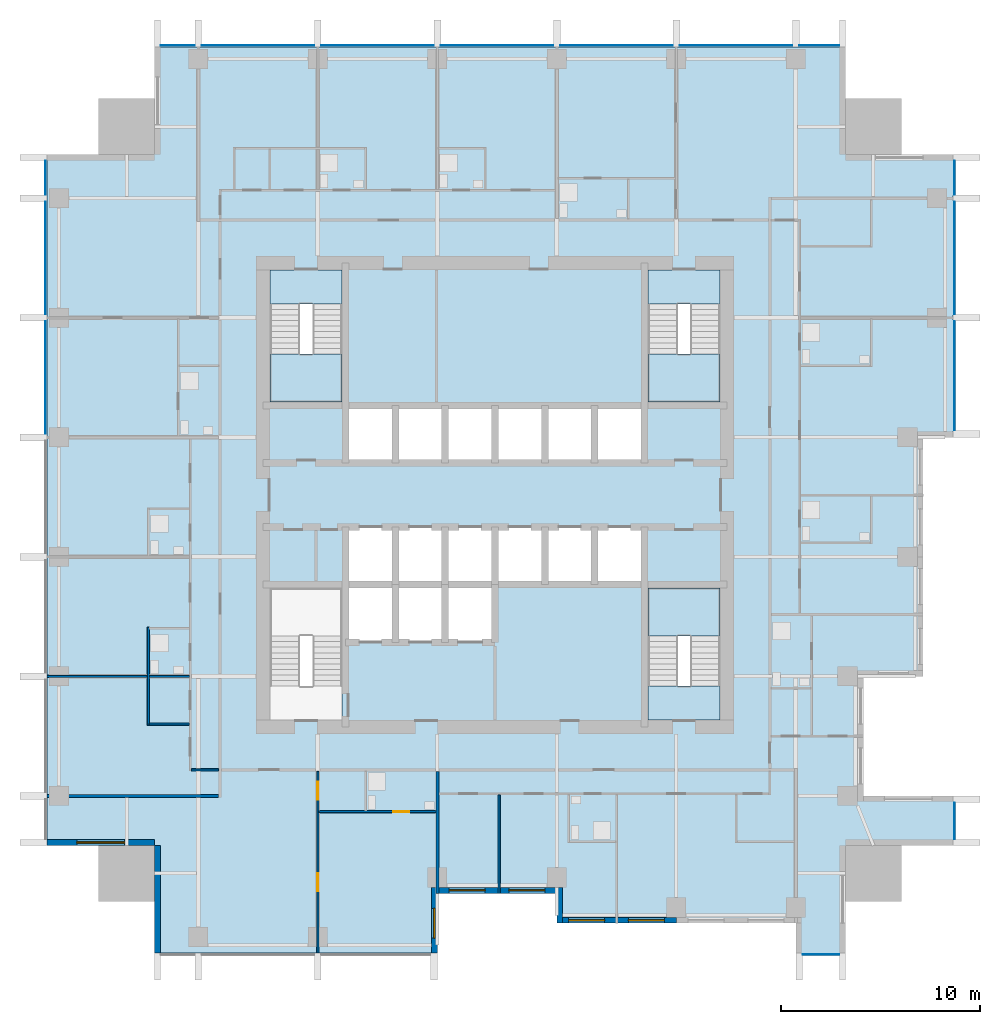
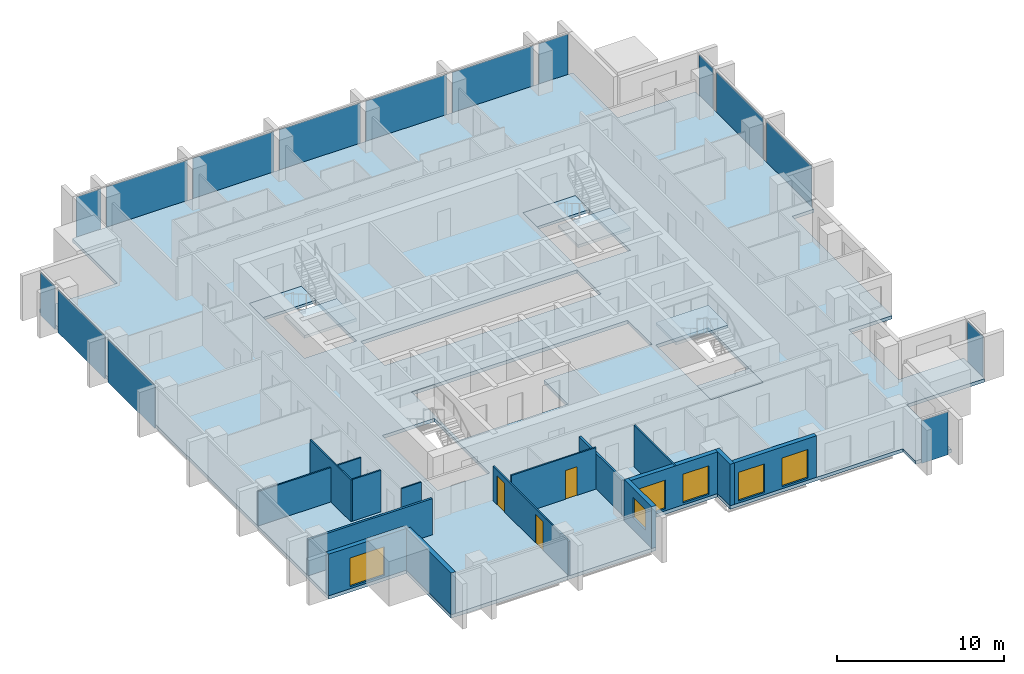
# One storey, part 3 of 10: 15 plates, 15 walls, 7 slabs, 6 windows, 3 doors, 9 openings, 8 elements without a shape of their own.
"""IFC4 building model written with IfcOpenShell, lengths in metres."""

import ifcopenshell
import ifcopenshell.guid

model = None  # the IFC model being written
_history = None  # IfcOwnerHistory: only IFC2X3 demands one
_inside = {}  # id of a spatial element -> (the spatial element, [elements in it])
_under = {}  # id of a project, library or spatial element -> (it, [spatial elements below it])
_declared = {}  # id of a project -> (the project, [libraries it declares])
_typed = {}  # id of a type object -> (the type object, [elements of that type])
_made_of = {}  # id of a material, layer set ... -> (it, [elements and type objects made of it])


def new_model(schema):
    """Start an empty IFC model of exactly this schema.

    Asked for "IFC4X3", IfcOpenShell would pick the latest addendum, in which some entities
    have other attributes; the version numbers below select the first issue.
    IFC2X3 requires an IfcOwnerHistory on every rooted entity: one is made here for all.
    """
    global model, _history
    if schema == "IFC4X3":
        model = ifcopenshell.file(schema_version=(4, 3, 0, 0))
    else:
        model = ifcopenshell.file(schema=schema)
    _inside.clear()
    _under.clear()
    _declared.clear()
    _typed.clear()
    _made_of.clear()
    _history = None
    if model.schema == "IFC2X3":
        org = make("IfcOrganization", Name="unknown")
        user = make(
            "IfcPersonAndOrganization",
            ThePerson=make("IfcPerson", FamilyName="unknown"),
            TheOrganization=org,
        )
        app = make(
            "IfcApplication",
            ApplicationDeveloper=org,
            Version="unknown",
            ApplicationFullName="unknown",
            ApplicationIdentifier="unknown",
        )
        _history = make(
            "IfcOwnerHistory",
            OwningUser=user,
            OwningApplication=app,
            ChangeAction="ADDED",
            CreationDate=0,
        )
    return model


def make(cls, **values):
    """One entity of the class cls with the attributes given. An attribute that is None is left unset."""
    return model.create_entity(
        cls, **{name: value for name, value in values.items() if value is not None}
    )


def rooted(cls, **values):
    """An entity with a GlobalId (a new one), such as an element, a storey or a relation."""
    return make(cls, GlobalId=ifcopenshell.guid.new(), OwnerHistory=_history, **values)


def si_unit(unit_type, name, prefix=None):
    """IfcSIUnit, for example si_unit("LENGTHUNIT", "METRE", prefix="MILLI")."""
    return make("IfcSIUnit", UnitType=unit_type, Prefix=prefix, Name=name)


def assignment(units):
    """IfcUnitAssignment: the units of a project."""
    return None if units is None else make("IfcUnitAssignment", Units=units)


def point(xyz):
    """IfcCartesianPoint."""
    return None if xyz is None else make("IfcCartesianPoint", Coordinates=xyz)


def direction(xyz):
    """IfcDirection."""
    return None if xyz is None else make("IfcDirection", DirectionRatios=xyz)


def frame(location, z_axis=None, x_axis=None):
    """IfcAxis2Placement3D, a coordinate frame: its origin and axes. An axis left out is left unset."""
    return make(
        "IfcAxis2Placement3D",
        Location=point(location),
        Axis=direction(z_axis),
        RefDirection=direction(x_axis),
    )


def frame_2d(location, x_axis=None):
    """IfcAxis2Placement2D, a coordinate frame in the plane: its origin and x axis."""
    return make(
        "IfcAxis2Placement2D", Location=point(location), RefDirection=direction(x_axis)
    )


def origin():
    """The frame at (0, 0, 0) with its axes left unset."""
    return frame((0.0, 0.0, 0.0))


def origin_2d():
    """The frame at (0, 0) in the plane with its x axis left unset."""
    return frame_2d((0.0, 0.0))


def place(relative_to, where):
    """IfcLocalPlacement: puts the frame where relative to a parent placement (None: the world)."""
    return make(
        "IfcLocalPlacement", PlacementRelTo=relative_to, RelativePlacement=where
    )


def context(
    kind, dimensions, precision=None, world=None, true_north=None, identifier=None
):
    """IfcGeometricRepresentationContext, for example the 3D "Model" context."""
    return make(
        "IfcGeometricRepresentationContext",
        ContextIdentifier=identifier,
        ContextType=kind,
        CoordinateSpaceDimension=dimensions,
        Precision=precision,
        WorldCoordinateSystem=world,
        TrueNorth=true_north,
    )


def subcontext(parent, identifier, kind, view, scale=None):
    """IfcGeometricRepresentationSubContext, for example "Body" below "Model"."""
    return make(
        "IfcGeometricRepresentationSubContext",
        ContextIdentifier=identifier,
        ContextType=kind,
        ParentContext=parent,
        TargetScale=scale,
        TargetView=view,
    )


def project(units=None, contexts=None):
    """IfcProject with its units and contexts."""
    return rooted(
        "IfcProject",
        Name="project",
        RepresentationContexts=contexts,
        UnitsInContext=assignment(units),
    )


def spatial(cls, under=None, at=None, **own):
    """A site, building, storey or space (cls), placed at a placement, below another one or the project."""
    s = rooted(cls, ObjectPlacement=at, **own)
    if under is not None:
        _under.setdefault(under.id(), (under, []))[1].append(s)
    return s


def polyline(points):
    """IfcPolyline through the points."""
    return make("IfcPolyline", Points=[point(p) for p in points])


def profile(cls, at=None, kind="AREA", **sizes):
    """A parametric profile (cls). Its sizes go by their IFC names, for example OverallWidth=200.0."""
    return make(cls, ProfileType=kind, Position=at, **sizes)


def rectangle(**sizes):
    """IfcRectangleProfileDef."""
    return profile("IfcRectangleProfileDef", **sizes)


def outline(outer, holes=None, kind="AREA"):
    """IfcArbitraryClosedProfileDef: a profile drawn as a closed curve; with holes, ...WithVoids."""
    if holes is None:
        return make("IfcArbitraryClosedProfileDef", ProfileType=kind, OuterCurve=outer)
    return make(
        "IfcArbitraryProfileDefWithVoids",
        ProfileType=kind,
        OuterCurve=outer,
        InnerCurves=holes,
    )


def extrude(swept, where, along, depth):
    """IfcExtrudedAreaSolid: the profile swept, set in the frame where, extruded along a direction by depth."""
    return make(
        "IfcExtrudedAreaSolid",
        SweptArea=swept,
        Position=where,
        ExtrudedDirection=direction(along),
        Depth=depth,
    )


def shape(context_of_items, identifier, shape_type, items):
    """IfcShapeRepresentation: the items that make up one representation, for example the "Body"."""
    return make(
        "IfcShapeRepresentation",
        ContextOfItems=context_of_items,
        RepresentationIdentifier=identifier,
        RepresentationType=shape_type,
        Items=items,
    )


def material(Name=None, Category=None):
    """IfcMaterial."""
    return make("IfcMaterial", Name=Name, Category=Category)


def layer(
    of_material, thickness, ventilated=None, Name=None, Category=None, Priority=None
):
    """IfcMaterialLayer: one layer of a wall or slab, of a material (None: an air gap)."""
    return make(
        "IfcMaterialLayer",
        Material=of_material,
        LayerThickness=thickness,
        IsVentilated=ventilated,
        Name=Name,
        Category=Category,
        Priority=Priority,
    )


def layer_set(layers, Name=None):
    """IfcMaterialLayerSet."""
    return make("IfcMaterialLayerSet", MaterialLayers=layers, LayerSetName=Name)


def made_of(thing, what):
    """Note that an element or type object is made of a material, layer set ...; save() writes the relation."""
    if what is not None:
        _made_of.setdefault(what.id(), (what, []))[1].append(thing)
    return thing


def type_object(cls, material=None, **own):
    """A type object (cls), such as IfcWallType, which elements share."""
    return made_of(rooted(cls, **own), material)


def element(
    cls,
    number,
    at=None,
    inside=None,
    cuts=None,
    type_object=None,
    material=None,
    context=None,
    identifier="Body",
    shape_type=None,
    held_by="IfcProductDefinitionShape",
    body=None,
    shapes=None,
    **own,
):
    """One element of the class cls, such as IfcWall. Its Tag is "e" and its number.

    at: its placement. inside: the storey or other place that contains it. cuts: it is an
    opening in that element (IfcRelVoidsElement). A single representation is given by context,
    identifier, shape_type and body (its items); several are given by shapes. held_by: the class
    of the entity that holds the representations. save() writes the other relations.
    """
    e = rooted(cls, Tag="e%d" % number, ObjectPlacement=at, **own)
    if body is not None:
        shapes = [shape(context, identifier, shape_type, body)]
    if shapes is not None:
        e.Representation = make(held_by, Representations=shapes)
    if inside is not None:
        _inside.setdefault(inside.id(), (inside, []))[1].append(e)
    if cuts is not None:
        rooted(
            "IfcRelVoidsElement", RelatingBuildingElement=cuts, RelatedOpeningElement=e
        )
    if type_object is not None:
        _typed.setdefault(type_object.id(), (type_object, []))[1].append(e)
    return made_of(e, material)


def fill(opening, filler):
    """IfcRelFillsElement: the door or window that sits in an opening."""
    return rooted(
        "IfcRelFillsElement",
        RelatingOpeningElement=opening,
        RelatedBuildingElement=filler,
    )


def aggregate(whole, parts):
    """IfcRelAggregates: a whole, such as a stair, and the parts it consists of."""
    return rooted("IfcRelAggregates", RelatingObject=whole, RelatedObjects=parts)


def save(model, path):
    """Write the relations noted so far, then the file.

    IfcRelAggregates (storeys below a building ...), IfcRelContainedInSpatialStructure (elements
    in a storey), IfcRelDefinesByType, IfcRelAssociatesMaterial and IfcRelDeclares: one each for
    every whole, place, type object, material and project.
    """
    for whole, parts in _under.values():
        aggregate(whole, parts)
    for where, things in _inside.values():
        rooted(
            "IfcRelContainedInSpatialStructure",
            RelatedElements=things,
            RelatingStructure=where,
        )
    for kind, things in _typed.values():
        rooted("IfcRelDefinesByType", RelatedObjects=things, RelatingType=kind)
    for what, things in _made_of.values():
        rooted("IfcRelAssociatesMaterial", RelatedObjects=things, RelatingMaterial=what)
    for by, libraries in _declared.values():
        rooted("IfcRelDeclares", RelatingContext=by, RelatedDefinitions=libraries)
    model.write(path)


model = new_model("IFC4")

# Units and contexts
model_context = context("Model", 3, precision=1e-05, world=origin(), true_north=direction((0.0, 1.0)))
body_context = subcontext(model_context, "Body", "Model", "MODEL_VIEW")
ifc_project = project(units=[si_unit("LENGTHUNIT", "METRE"), si_unit("AREAUNIT", "SQUARE_METRE"), si_unit("VOLUMEUNIT", "CUBIC_METRE"), si_unit("PLANEANGLEUNIT", "RADIAN"), si_unit("MASSUNIT", "GRAM", prefix="KILO")], contexts=[model_context])

# Site, building, storey
site_placement = place(None, origin())
site = spatial("IfcSite", under=ifc_project, at=site_placement, CompositionType="ELEMENT")
building_placement = place(site_placement, origin())
building = spatial("IfcBuilding", under=site, at=building_placement, Name="Amberfall Residences", CompositionType="ELEMENT")
storey_placement = place(building_placement, frame((0.0, 0.0, 137.199951171875)))
storey = spatial("IfcBuildingStorey", under=building, at=storey_placement, Name="L36", CompositionType="ELEMENT", Elevation=137.199951171875)

# Curtain wall, plate
ifc_material_1 = material(Name="Bronze anodised aluminium and glass", Category="aluminium")
curtain_wall_type = type_object("IfcCurtainWallType", Name="Curtain wall CW1 tower unit", PredefinedType="USERDEFINED", material=ifc_material_1)
curtain_wall_1_placement = place(storey_placement, origin())
curtain_wall_1 = element("IfcCurtainWall", 1, at=curtain_wall_1_placement, inside=storey, type_object=curtain_wall_type, Name="Curtain wall L36 S S8", ObjectType="UNITISED CURTAIN WALL", PredefinedType="USERDEFINED")
ifc_material_2 = material(Name="Tinted double glazed unit", Category="glass")
ifc_layer_1 = layer(ifc_material_2, 0.035888671875)
ifc_layer_set_1 = layer_set([ifc_layer_1], Name="CW1 panel 36 glazing")
plate_type = type_object("IfcPlateType", Name="CW1 panel 36 glazing", PredefinedType="CURTAIN_PANEL", material=ifc_layer_set_1)
plate_1_placement = place(storey_placement, frame((90.875, 22.425048828125, -0.25), z_axis=(0.0, 0.0, 1.0), x_axis=(1.0, 0.0, 0.0)))
plate_1 = element("IfcPlate", 2, at=plate_1_placement, type_object=plate_type, Name="CW1 panel 1.1", PredefinedType="CURTAIN_PANEL", context=body_context, shape_type="SweptSolid", body=[
    extrude(rectangle(XDim=1.825927734375, YDim=0.035888671875, at=origin_2d()), origin(), (0.0, 0.0, 1.0), 3.14990234375),
])
aggregate(curtain_wall_1, [plate_1])

curtain_wall_2_placement = place(storey_placement, origin())
curtain_wall_2 = element("IfcCurtainWall", 3, at=curtain_wall_2_placement, inside=storey, type_object=curtain_wall_type, Name="Curtain wall L36 E E1", ObjectType="UNITISED CURTAIN WALL", PredefinedType="USERDEFINED")
plate_2_placement = place(storey_placement, frame((97.574951171875, 29.125, -0.25), z_axis=(0.0, 0.0, 1.0), x_axis=(0.0, 1.0, 0.0)))
plate_2 = element("IfcPlate", 4, at=plate_2_placement, type_object=plate_type, Name="CW1 panel 1.1", PredefinedType="CURTAIN_PANEL", context=body_context, shape_type="SweptSolid", body=[
    extrude(rectangle(XDim=1.825927734375, YDim=0.035888671875, at=origin_2d()), origin(), (0.0, 0.0, 1.0), 3.14990234375),
])
aggregate(curtain_wall_2, [plate_2])

# Curtain wall, plates
curtain_wall_3_placement = place(storey_placement, origin())
curtain_wall_3 = element("IfcCurtainWall", 5, at=curtain_wall_3_placement, inside=storey, type_object=curtain_wall_type, Name="Curtain wall L36 E E8", ObjectType="UNITISED CURTAIN WALL", PredefinedType="USERDEFINED")
plate_3_placement = place(storey_placement, frame((97.574951171875, 51.487548828125, -0.25), z_axis=(0.0, 0.0, 1.0), x_axis=(0.0, 1.0, 0.0)))
plate_3 = element("IfcPlate", 6, at=plate_3_placement, type_object=plate_type, Name="CW1 panel 1.1", PredefinedType="CURTAIN_PANEL", context=body_context, shape_type="SweptSolid", body=[
    extrude(rectangle(XDim=5.450927734375, YDim=0.035888671875, at=origin_2d()), origin(), (0.0, 0.0, 1.0), 3.14990234375),
])
plate_4_placement = place(storey_placement, frame((97.574951171875, 57.39990234375, -0.25), z_axis=(0.0, 0.0, 1.0), x_axis=(0.0, 1.0, 0.0)))
plate_4 = element("IfcPlate", 7, at=plate_4_placement, type_object=plate_type, Name="CW1 panel 2.1", PredefinedType="CURTAIN_PANEL", context=body_context, shape_type="SweptSolid", body=[
    extrude(rectangle(XDim=5.6259765625, YDim=0.035888671875, at=origin_2d()), origin(), (0.0, 0.0, 1.0), 3.14990234375),
])
plate_5_placement = place(storey_placement, frame((97.574951171875, 61.4375, -0.25), z_axis=(0.0, 0.0, 1.0), x_axis=(0.0, 1.0, 0.0)))
plate_5 = element("IfcPlate", 8, at=plate_5_placement, type_object=plate_type, Name="CW1 panel 3.1", PredefinedType="CURTAIN_PANEL", context=body_context, shape_type="SweptSolid", body=[
    extrude(rectangle(XDim=1.700927734375, YDim=0.035888671875, at=origin_2d()), origin(), (0.0, 0.0, 1.0), 3.14990234375),
])
aggregate(curtain_wall_3, [plate_3, plate_4, plate_5])

curtain_wall_4_placement = place(storey_placement, origin())
curtain_wall_4 = element("IfcCurtainWall", 9, at=curtain_wall_4_placement, inside=storey, type_object=curtain_wall_type, Name="Curtain wall L36 N N1", ObjectType="UNITISED CURTAIN WALL", PredefinedType="USERDEFINED")
plate_6_placement = place(storey_placement, frame((90.78759765625, 68.074951171875, -0.25), z_axis=(0.0, 0.0, 1.0), x_axis=(-1.0, 0.0, 0.0)))
plate_6 = element("IfcPlate", 10, at=plate_6_placement, type_object=plate_type, Name="CW1 panel 1.1", PredefinedType="CURTAIN_PANEL", context=body_context, shape_type="SweptSolid", body=[
    extrude(rectangle(XDim=2.0009765625, YDim=0.035888671875, at=origin_2d()), origin(), (0.0, 0.0, 1.0), 3.14990234375),
])
plate_7_placement = place(storey_placement, frame((86.60009765625, 68.074951171875, -0.25), z_axis=(0.0, 0.0, 1.0), x_axis=(-1.0, 0.0, 0.0)))
plate_7 = element("IfcPlate", 11, at=plate_7_placement, type_object=plate_type, Name="CW1 panel 2.1", PredefinedType="CURTAIN_PANEL", context=body_context, shape_type="SweptSolid", body=[
    extrude(rectangle(XDim=5.6259765625, YDim=0.035888671875, at=origin_2d()), origin(), (0.0, 0.0, 1.0), 3.14990234375),
])
plate_8_placement = place(storey_placement, frame((80.60009765625, 68.074951171875, -0.25), z_axis=(0.0, 0.0, 1.0), x_axis=(-1.0, 0.0, 0.0)))
plate_8 = element("IfcPlate", 12, at=plate_8_placement, type_object=plate_type, Name="CW1 panel 3.1", PredefinedType="CURTAIN_PANEL", context=body_context, shape_type="SweptSolid", body=[
    extrude(rectangle(XDim=5.6259765625, YDim=0.035888671875, at=origin_2d()), origin(), (0.0, 0.0, 1.0), 3.14990234375),
])
plate_9_placement = place(storey_placement, frame((74.60009765625, 68.074951171875, -0.25), z_axis=(0.0, 0.0, 1.0), x_axis=(-1.0, 0.0, 0.0)))
plate_9 = element("IfcPlate", 13, at=plate_9_placement, type_object=plate_type, Name="CW1 panel 4.1", PredefinedType="CURTAIN_PANEL", context=body_context, shape_type="SweptSolid", body=[
    extrude(rectangle(XDim=5.6259765625, YDim=0.035888671875, at=origin_2d()), origin(), (0.0, 0.0, 1.0), 3.14990234375),
])
plate_10_placement = place(storey_placement, frame((68.60009765625, 68.074951171875, -0.25), z_axis=(0.0, 0.0, 1.0), x_axis=(-1.0, 0.0, 0.0)))
plate_10 = element("IfcPlate", 14, at=plate_10_placement, type_object=plate_type, Name="CW1 panel 5.1", PredefinedType="CURTAIN_PANEL", context=body_context, shape_type="SweptSolid", body=[
    extrude(rectangle(XDim=5.6259765625, YDim=0.035888671875, at=origin_2d()), origin(), (0.0, 0.0, 1.0), 3.14990234375),
])
plate_11_placement = place(storey_placement, frame((62.60009765625, 68.074951171875, -0.25), z_axis=(0.0, 0.0, 1.0), x_axis=(-1.0, 0.0, 0.0)))
plate_11 = element("IfcPlate", 15, at=plate_11_placement, type_object=plate_type, Name="CW1 panel 6.1", PredefinedType="CURTAIN_PANEL", context=body_context, shape_type="SweptSolid", body=[
    extrude(rectangle(XDim=5.6259765625, YDim=0.035888671875, at=origin_2d()), origin(), (0.0, 0.0, 1.0), 3.14990234375),
])
plate_12_placement = place(storey_placement, frame((58.5625, 68.074951171875, -0.25), z_axis=(0.0, 0.0, 1.0), x_axis=(-1.0, 0.0, 0.0)))
plate_12 = element("IfcPlate", 16, at=plate_12_placement, type_object=plate_type, Name="CW1 panel 7.1", PredefinedType="CURTAIN_PANEL", context=body_context, shape_type="SweptSolid", body=[
    extrude(rectangle(XDim=1.700927734375, YDim=0.035888671875, at=origin_2d()), origin(), (0.0, 0.0, 1.0), 3.14990234375),
])
aggregate(curtain_wall_4, [plate_6, plate_7, plate_8, plate_9, plate_10, plate_11, plate_12])

curtain_wall_5_placement = place(storey_placement, origin())
curtain_wall_5 = element("IfcCurtainWall", 17, at=curtain_wall_5_placement, inside=storey, type_object=curtain_wall_type, Name="Curtain wall L36 W W1", ObjectType="UNITISED CURTAIN WALL", PredefinedType="USERDEFINED")
plate_13_placement = place(storey_placement, frame((51.925048828125, 61.4375, -0.25), z_axis=(0.0, 0.0, 1.0), x_axis=(0.0, -1.0, 0.0)))
plate_13 = element("IfcPlate", 18, at=plate_13_placement, type_object=plate_type, Name="CW1 panel 1.1", PredefinedType="CURTAIN_PANEL", context=body_context, shape_type="SweptSolid", body=[
    extrude(rectangle(XDim=1.700927734375, YDim=0.035888671875, at=origin_2d()), origin(), (0.0, 0.0, 1.0), 3.14990234375),
])
plate_14_placement = place(storey_placement, frame((51.925048828125, 57.39990234375, -0.25), z_axis=(0.0, 0.0, 1.0), x_axis=(0.0, -1.0, 0.0)))
plate_14 = element("IfcPlate", 19, at=plate_14_placement, type_object=plate_type, Name="CW1 panel 2.1", PredefinedType="CURTAIN_PANEL", context=body_context, shape_type="SweptSolid", body=[
    extrude(rectangle(XDim=5.6259765625, YDim=0.035888671875, at=origin_2d()), origin(), (0.0, 0.0, 1.0), 3.14990234375),
])
plate_15_placement = place(storey_placement, frame((51.925048828125, 51.39990234375, -0.25), z_axis=(0.0, 0.0, 1.0), x_axis=(0.0, -1.0, 0.0)))
plate_15 = element("IfcPlate", 20, at=plate_15_placement, type_object=plate_type, Name="CW1 panel 3.1", PredefinedType="CURTAIN_PANEL", context=body_context, shape_type="SweptSolid", body=[
    extrude(rectangle(XDim=5.6259765625, YDim=0.035888671875, at=origin_2d()), origin(), (0.0, 0.0, 1.0), 3.14990234375),
])
aggregate(curtain_wall_5, [plate_13, plate_14, plate_15])

# Slab
ifc_material_3 = material(Name="Concrete C60", Category="concrete")
ifc_layer_2 = layer(ifc_material_3, 0.25)
ifc_layer_set_2 = layer_set([ifc_layer_2], Name="Floor slab 250 C60")
slab_type_1 = type_object("IfcSlabType", Name="Floor slab 250 C60", PredefinedType="FLOOR", material=ifc_layer_set_2)
slab_1_placement = place(storey_placement, frame((0.0, 0.0, -0.25)))
element("IfcSlab", 21, at=slab_1_placement, inside=storey, type_object=slab_type_1, Name="Floor slab S10 L36", PredefinedType="FLOOR", context=body_context, shape_type="SweptSolid", body=[
    extrude(outline(polyline([(89.60009765625, 22.5), (89.60009765625, 24.0), (83.60009765625, 24.0), (77.60009765625, 24.0), (77.60009765625, 25.5), (71.60009765625, 25.5), (71.60009765625, 22.5), (57.39990234375, 22.5), (57.39990234375, 27.89990234375), (52.0, 27.89990234375), (52.0, 62.60009765625), (57.39990234375, 62.60009765625), (57.39990234375, 68.0), (92.10009765625, 68.0), (92.10009765625, 62.60009765625), (97.5, 62.60009765625), (97.5, 48.39990234375), (96.0, 48.39990234375), (96.0, 42.39990234375), (96.0, 36.39990234375), (93.0, 36.39990234375), (93.0, 30.39990234375), (97.5, 30.39990234375), (97.5, 27.89990234375), (92.10009765625, 27.89990234375), (92.10009765625, 22.5), (89.60009765625, 22.5)]), holes=[polyline([(85.800048828125, 34.199951171875), (85.800048828125, 40.824951171875), (82.175048828125, 40.824951171875), (82.175048828125, 34.199951171875), (85.800048828125, 34.199951171875)]), polyline([(82.175048828125, 50.175048828125), (85.800048828125, 50.175048828125), (85.800048828125, 56.800048828125), (82.175048828125, 56.800048828125), (82.175048828125, 50.175048828125)]), polyline([(69.5, 50.0), (67.0, 50.0), (67.0, 47.10009765625), (69.5, 47.10009765625), (72.0, 47.10009765625), (74.5, 47.10009765625), (77.0, 47.10009765625), (79.5, 47.10009765625), (82.0, 47.10009765625), (82.0, 50.0), (79.5, 50.0), (77.0, 50.0), (74.5, 50.0), (72.0, 50.0), (69.5, 50.0)]), polyline([(74.5, 41.0), (77.0, 41.0), (79.5, 41.0), (82.0, 41.0), (82.0, 43.89990234375), (79.5, 43.89990234375), (77.0, 43.89990234375), (74.5, 43.89990234375), (72.0, 43.89990234375), (69.5, 43.89990234375), (67.0, 43.89990234375), (67.0, 41.0), (67.0, 38.10009765625), (69.5, 38.10009765625), (72.0, 38.10009765625), (74.5, 38.10009765625), (74.5, 41.0)]), polyline([(66.824951171875, 34.199951171875), (66.824951171875, 40.824951171875), (63.199951171875, 40.824951171875), (63.199951171875, 34.199951171875), (66.824951171875, 34.199951171875)]), polyline([(66.824951171875, 50.175048828125), (66.824951171875, 56.800048828125), (63.199951171875, 56.800048828125), (63.199951171875, 50.175048828125), (66.824951171875, 50.175048828125)])]), origin(), (0.0, 0.0, 1.0), 0.25),
])

# Stair, slabs
ifc_material_4 = material(Name="Concrete C40", Category="concrete")
stair_type = type_object("IfcStairType", Name="Exit stair 20 risers 165.0 mm", PredefinedType="HALF_TURN_STAIR", material=ifc_material_4)
stair_1_placement = place(storey_placement, origin())
stair_1 = element("IfcStair", 22, at=stair_1_placement, inside=storey, type_object=stair_type, Name="L36 Exit stair 2", PredefinedType="HALF_TURN_STAIR")
ifc_layer_3 = layer(ifc_material_4, 0.199951171875)
ifc_layer_set_3 = layer_set([ifc_layer_3], Name="Stair landing 200")
slab_type_2 = type_object("IfcSlabType", Name="Stair landing 200", PredefinedType="LANDING", material=ifc_layer_set_3)
slab_2_placement = place(storey_placement, frame((0.0, 0.0, 1.449951171875)))
slab_2 = element("IfcSlab", 23, at=slab_2_placement, type_object=slab_type_2, Name="ST3 landing 1", PredefinedType="LANDING", context=body_context, shape_type="SweptSolid", body=[
    extrude(outline(polyline([(85.800048828125, 38.419921875), (85.800048828125, 40.824951171875), (82.175048828125, 40.824951171875), (82.175048828125, 38.419921875), (85.800048828125, 38.419921875)])), origin(), (0.0, 0.0, 1.0), 0.2001953125),
])
slab_3_placement = place(storey_placement, frame((0.0, 0.0, -0.199951171875)))
slab_3 = element("IfcSlab", 24, at=slab_3_placement, type_object=slab_type_2, Name="ST3 landing 2", PredefinedType="LANDING", context=body_context, shape_type="SweptSolid", body=[
    extrude(outline(polyline([(85.800048828125, 34.199951171875), (85.800048828125, 35.89990234375), (82.175048828125, 35.89990234375), (82.175048828125, 34.199951171875), (85.800048828125, 34.199951171875)])), origin(), (0.0, 0.0, 1.0), 0.199951171875),
])
aggregate(stair_1, [slab_2, slab_3])

stair_2_placement = place(storey_placement, origin())
stair_2 = element("IfcStair", 25, at=stair_2_placement, inside=storey, type_object=stair_type, Name="L36 Exit stair 3", PredefinedType="HALF_TURN_STAIR")
slab_4_placement = place(storey_placement, frame((0.0, 0.0, 1.449951171875)))
slab_4 = element("IfcSlab", 26, at=slab_4_placement, type_object=slab_type_2, Name="ST3 landing 1", PredefinedType="LANDING", context=body_context, shape_type="SweptSolid", body=[
    extrude(outline(polyline([(82.175048828125, 52.580078125), (82.175048828125, 50.175048828125), (85.800048828125, 50.175048828125), (85.800048828125, 52.580078125), (82.175048828125, 52.580078125)])), origin(), (0.0, 0.0, 1.0), 0.2001953125),
])
slab_5_placement = place(storey_placement, frame((0.0, 0.0, -0.199951171875)))
slab_5 = element("IfcSlab", 27, at=slab_5_placement, type_object=slab_type_2, Name="ST3 landing 2", PredefinedType="LANDING", context=body_context, shape_type="SweptSolid", body=[
    extrude(outline(polyline([(82.175048828125, 56.800048828125), (82.175048828125, 55.10009765625), (85.800048828125, 55.10009765625), (85.800048828125, 56.800048828125), (82.175048828125, 56.800048828125)])), origin(), (0.0, 0.0, 1.0), 0.199951171875),
])
aggregate(stair_2, [slab_4, slab_5])

stair_3_placement = place(storey_placement, origin())
stair_3 = element("IfcStair", 28, at=stair_3_placement, inside=storey, type_object=stair_type, Name="L36 Exit stair 4", PredefinedType="HALF_TURN_STAIR")
slab_6_placement = place(storey_placement, frame((0.0, 0.0, 1.449951171875)))
slab_6 = element("IfcSlab", 29, at=slab_6_placement, type_object=slab_type_2, Name="ST3 landing 1", PredefinedType="LANDING", context=body_context, shape_type="SweptSolid", body=[
    extrude(outline(polyline([(63.199951171875, 52.580078125), (63.199951171875, 50.175048828125), (66.824951171875, 50.175048828125), (66.824951171875, 52.580078125), (63.199951171875, 52.580078125)])), origin(), (0.0, 0.0, 1.0), 0.2001953125),
])
slab_7_placement = place(storey_placement, frame((0.0, 0.0, -0.199951171875)))
slab_7 = element("IfcSlab", 30, at=slab_7_placement, type_object=slab_type_2, Name="ST3 landing 2", PredefinedType="LANDING", context=body_context, shape_type="SweptSolid", body=[
    extrude(outline(polyline([(63.199951171875, 56.800048828125), (63.199951171875, 55.10009765625), (66.824951171875, 55.10009765625), (66.824951171875, 56.800048828125), (63.199951171875, 56.800048828125)])), origin(), (0.0, 0.0, 1.0), 0.199951171875),
])
aggregate(stair_3, [slab_6, slab_7])

# Wall, opening, window
ifc_material_5 = material(Name="Pale stone cladding on insulated backing", Category="masonry")
ifc_layer_4 = layer(ifc_material_5, 0.300048828125)
ifc_layer_set_4 = layer_set([ifc_layer_4], Name="Bronze clad wall 300")
wall_type_1 = type_object("IfcWallType", Name="Bronze clad wall 300", PredefinedType="SOLIDWALL", material=ifc_layer_set_4)
wall_1_placement = place(storey_placement, frame((71.449951171875, 22.5, 0.0), z_axis=(0.0, 0.0, 1.0), x_axis=(0.0, 1.0, 0.0)))
wall_1 = element("IfcWall", 31, at=wall_1_placement, inside=storey, type_object=wall_type_1, Name="External wall L36 S", PredefinedType="SOLIDWALL", context=body_context, shape_type="SweptSolid", body=[
    extrude(rectangle(XDim=3.300048828125, YDim=0.300048828125, at=frame_2d((1.64990234375, 0.0))), origin(), (0.0, 0.0, 1.0), 3.050048828125),
])
opening_1_placement = place(wall_1_placement, frame((0.75, 0.0, 0.89990234375)))
opening_1 = element("IfcOpeningElement", 32, at=opening_1_placement, cuts=wall_1, Name="Opening WN1", PredefinedType="OPENING", context=body_context, shape_type="SweptSolid", body=[
    extrude(rectangle(XDim=1.5, YDim=1.5, at=frame_2d((0.75, 0.75))), frame((0.0, 0.159912109375, 0.0), z_axis=(0.0, -1.0, 0.0), x_axis=(1.0, 0.0, 0.0)), (0.0, 0.0, 1.0), 0.320068359375),
])
ifc_material_6 = material(Name="Bronze aluminium framed glazing", Category="aluminium")
window_type_1 = type_object("IfcWindowType", Name="Window 1500 x 1500 bronze", PartitioningType="DOUBLE_PANEL_VERTICAL", PredefinedType="WINDOW", material=ifc_material_6)
window_1_placement = place(opening_1_placement, origin())
window_1 = element("IfcWindow", 33, at=window_1_placement, inside=storey, type_object=window_type_1, Name="Window L36 S", OverallHeight=1.5, OverallWidth=1.5, PartitioningType="DOUBLE_PANEL_VERTICAL", PredefinedType="WINDOW", context=body_context, shape_type="SweptSolid", body=[
    extrude(rectangle(XDim=1.5, YDim=1.5, at=frame_2d((0.75, 0.75))), frame((0.0, 0.030029296875, 0.0), z_axis=(0.0, -1.0, 0.0), x_axis=(1.0, 0.0, 0.0)), (0.0, 0.0, 1.0), 0.06005859375),
])
fill(opening_1, window_1)

# Wall
wall_2_placement = place(storey_placement, frame((77.75, 25.800048828125, 0.0), z_axis=(0.0, 0.0, 1.0), x_axis=(0.0, -1.0, 0.0)))
element("IfcWall", 34, at=wall_2_placement, inside=storey, type_object=wall_type_1, Name="External wall L36 S", PredefinedType="SOLIDWALL", context=body_context, shape_type="SweptSolid", body=[
    extrude(rectangle(XDim=1.800048828125, YDim=0.300048828125, at=frame_2d((0.89990234375, 0.0))), origin(), (0.0, 0.0, 1.0), 3.050048828125),
])

# Wall, opening, window
wall_3_placement = place(storey_placement, frame((52.0, 28.050048828125, 0.0), z_axis=(0.0, 0.0, 1.0), x_axis=(1.0, 0.0, 0.0)))
wall_3 = element("IfcWall", 35, at=wall_3_placement, inside=storey, type_object=wall_type_1, Name="External wall L36 SW", PredefinedType="SOLIDWALL", context=body_context, shape_type="SweptSolid", body=[
    extrude(rectangle(XDim=5.39990234375, YDim=0.300048828125, at=frame_2d((2.699951171875, 0.0))), origin(), (0.0, 0.0, 1.0), 3.050048828125),
])
opening_2_placement = place(wall_3_placement, frame((1.5, 0.0, 0.14990234375)))
opening_2 = element("IfcOpeningElement", 36, at=opening_2_placement, cuts=wall_3, Name="Opening WN5", PredefinedType="OPENING", context=body_context, shape_type="SweptSolid", body=[
    extrude(rectangle(XDim=2.39990234375, YDim=2.10009765625, at=frame_2d((1.199951171875, 1.050048828125))), frame((0.0, 0.159912109375, 0.0), z_axis=(0.0, -1.0, 0.0), x_axis=(1.0, 0.0, 0.0)), (0.0, 0.0, 1.0), 0.320068359375),
])
window_type_2 = type_object("IfcWindowType", Name="Glazed opening 2400 x 2100 bronze", PartitioningType="DOUBLE_PANEL_VERTICAL", PredefinedType="WINDOW", material=ifc_material_6)
window_2_placement = place(opening_2_placement, origin())
window_2 = element("IfcWindow", 37, at=window_2_placement, inside=storey, type_object=window_type_2, Name="Window L36 SW", OverallHeight=2.10009765625, OverallWidth=2.39990234375, PartitioningType="DOUBLE_PANEL_VERTICAL", PredefinedType="WINDOW", context=body_context, shape_type="SweptSolid", body=[
    extrude(rectangle(XDim=2.39990234375, YDim=2.10009765625, at=frame_2d((1.199951171875, 1.050048828125))), frame((0.0, 0.030029296875, 0.0), z_axis=(0.0, -1.0, 0.0), x_axis=(1.0, 0.0, 0.0)), (0.0, 0.0, 1.0), 0.06005859375),
])
fill(opening_2, window_2)

# Wall
wall_4_placement = place(storey_placement, frame((57.550048828125, 27.89990234375, 0.0), z_axis=(0.0, 0.0, 1.0), x_axis=(0.0, -1.0, 0.0)))
element("IfcWall", 38, at=wall_4_placement, inside=storey, type_object=wall_type_1, Name="External wall L36 SW", PredefinedType="SOLIDWALL", context=body_context, shape_type="SweptSolid", body=[
    extrude(rectangle(XDim=5.39990234375, YDim=0.300048828125, at=frame_2d((2.699951171875, 0.0))), origin(), (0.0, 0.0, 1.0), 3.050048828125),
])

# Wall, openings, windows
wall_5_placement = place(storey_placement, frame((71.60009765625, 25.64990234375, 0.0), z_axis=(0.0, 0.0, 1.0), x_axis=(1.0, 0.0, 0.0)))
wall_5 = element("IfcWall", 39, at=wall_5_placement, inside=storey, type_object=wall_type_1, Name="Stone wall L36 S", PredefinedType="SOLIDWALL", context=body_context, shape_type="SweptSolid", body=[
    extrude(rectangle(XDim=6.0, YDim=0.300048828125, at=frame_2d((3.0, 0.0))), origin(), (0.0, 0.0, 1.0), 3.050048828125),
])
opening_3_placement = place(wall_5_placement, frame((0.60009765625, 0.0, 0.14990234375)))
opening_3 = element("IfcOpeningElement", 40, at=opening_3_placement, cuts=wall_5, Name="Opening WN6", PredefinedType="OPENING", context=body_context, shape_type="SweptSolid", body=[
    extrude(rectangle(XDim=1.800048828125, YDim=2.10009765625, at=frame_2d((0.89990234375, 1.050048828125))), frame((0.0, 0.159912109375, 0.0), z_axis=(0.0, -1.0, 0.0), x_axis=(1.0, 0.0, 0.0)), (0.0, 0.0, 1.0), 0.320068359375),
])
opening_4_placement = place(wall_5_placement, frame((3.60009765625, 0.0, 0.14990234375)))
opening_4 = element("IfcOpeningElement", 41, at=opening_4_placement, cuts=wall_5, Name="Opening WN6", PredefinedType="OPENING", context=body_context, shape_type="SweptSolid", body=[
    extrude(rectangle(XDim=1.800048828125, YDim=2.10009765625, at=frame_2d((0.89990234375, 1.050048828125))), frame((0.0, 0.159912109375, 0.0), z_axis=(0.0, -1.0, 0.0), x_axis=(1.0, 0.0, 0.0)), (0.0, 0.0, 1.0), 0.320068359375),
])
window_type_3 = type_object("IfcWindowType", Name="Glazed opening 1800 x 2100 bronze", PartitioningType="DOUBLE_PANEL_VERTICAL", PredefinedType="WINDOW", material=ifc_material_6)
window_3_placement = place(opening_3_placement, origin())
window_3 = element("IfcWindow", 42, at=window_3_placement, inside=storey, type_object=window_type_3, Name="Window L36 S", OverallHeight=2.10009765625, OverallWidth=1.800048828125, PartitioningType="DOUBLE_PANEL_VERTICAL", PredefinedType="WINDOW", context=body_context, shape_type="SweptSolid", body=[
    extrude(rectangle(XDim=1.800048828125, YDim=2.10009765625, at=frame_2d((0.89990234375, 1.050048828125))), frame((0.0, 0.030029296875, 0.0), z_axis=(0.0, -1.0, 0.0), x_axis=(1.0, 0.0, 0.0)), (0.0, 0.0, 1.0), 0.06005859375),
])
fill(opening_3, window_3)
window_4_placement = place(opening_4_placement, origin())
window_4 = element("IfcWindow", 43, at=window_4_placement, inside=storey, type_object=window_type_3, Name="Window L36 S", OverallHeight=2.10009765625, OverallWidth=1.800048828125, PartitioningType="DOUBLE_PANEL_VERTICAL", PredefinedType="WINDOW", context=body_context, shape_type="SweptSolid", body=[
    extrude(rectangle(XDim=1.800048828125, YDim=2.10009765625, at=frame_2d((0.89990234375, 1.050048828125))), frame((0.0, 0.030029296875, 0.0), z_axis=(0.0, -1.0, 0.0), x_axis=(1.0, 0.0, 0.0)), (0.0, 0.0, 1.0), 0.06005859375),
])
fill(opening_4, window_4)

wall_6_placement = place(storey_placement, frame((77.89990234375, 24.14990234375, 0.0), z_axis=(0.0, 0.0, 1.0), x_axis=(1.0, 0.0, 0.0)))
wall_6 = element("IfcWall", 44, at=wall_6_placement, inside=storey, type_object=wall_type_1, Name="Stone wall L36 S", PredefinedType="SOLIDWALL", context=body_context, shape_type="SweptSolid", body=[
    extrude(rectangle(XDim=5.7001953125, YDim=0.300048828125, at=frame_2d((2.85009765625, 0.0))), origin(), (0.0, 0.0, 1.0), 3.050048828125),
])
opening_5_placement = place(wall_6_placement, frame((0.300048828125, 0.0, 0.14990234375)))
opening_5 = element("IfcOpeningElement", 45, at=opening_5_placement, cuts=wall_6, Name="Opening WN6", PredefinedType="OPENING", context=body_context, shape_type="SweptSolid", body=[
    extrude(rectangle(XDim=1.800048828125, YDim=2.10009765625, at=frame_2d((0.89990234375, 1.050048828125))), frame((0.0, 0.159912109375, 0.0), z_axis=(0.0, -1.0, 0.0), x_axis=(1.0, 0.0, 0.0)), (0.0, 0.0, 1.0), 0.320068359375),
])
opening_6_placement = place(wall_6_placement, frame((3.300048828125, 0.0, 0.14990234375)))
opening_6 = element("IfcOpeningElement", 46, at=opening_6_placement, cuts=wall_6, Name="Opening WN6", PredefinedType="OPENING", context=body_context, shape_type="SweptSolid", body=[
    extrude(rectangle(XDim=1.800048828125, YDim=2.10009765625, at=frame_2d((0.89990234375, 1.050048828125))), frame((0.0, 0.159912109375, 0.0), z_axis=(0.0, -1.0, 0.0), x_axis=(1.0, 0.0, 0.0)), (0.0, 0.0, 1.0), 0.320068359375),
])
window_5_placement = place(opening_5_placement, origin())
window_5 = element("IfcWindow", 47, at=window_5_placement, inside=storey, type_object=window_type_3, Name="Window L36 S", OverallHeight=2.10009765625, OverallWidth=1.800048828125, PartitioningType="DOUBLE_PANEL_VERTICAL", PredefinedType="WINDOW", context=body_context, shape_type="SweptSolid", body=[
    extrude(rectangle(XDim=1.800048828125, YDim=2.10009765625, at=frame_2d((0.89990234375, 1.050048828125))), frame((0.0, 0.030029296875, 0.0), z_axis=(0.0, -1.0, 0.0), x_axis=(1.0, 0.0, 0.0)), (0.0, 0.0, 1.0), 0.06005859375),
])
fill(opening_5, window_5)
window_6_placement = place(opening_6_placement, origin())
window_6 = element("IfcWindow", 48, at=window_6_placement, inside=storey, type_object=window_type_3, Name="Window L36 S", OverallHeight=2.10009765625, OverallWidth=1.800048828125, PartitioningType="DOUBLE_PANEL_VERTICAL", PredefinedType="WINDOW", context=body_context, shape_type="SweptSolid", body=[
    extrude(rectangle(XDim=1.800048828125, YDim=2.10009765625, at=frame_2d((0.89990234375, 1.050048828125))), frame((0.0, 0.030029296875, 0.0), z_axis=(0.0, -1.0, 0.0), x_axis=(1.0, 0.0, 0.0)), (0.0, 0.0, 1.0), 0.06005859375),
])
fill(opening_6, window_6)

# Wall
ifc_material_7 = material(Name="Gypsum board on metal stud")
ifc_layer_5 = layer(ifc_material_7, 0.10009765625)
ifc_layer_set_5 = layer_set([ifc_layer_5], Name="Flat partition 100")
wall_type_2 = type_object("IfcWallType", Name="Flat partition 100", PredefinedType="PARTITIONING", material=ifc_layer_set_5)
wall_7_placement = place(storey_placement, frame((57.10009765625, 33.949951171875, 0.0), z_axis=(0.0, 0.0, 1.0), x_axis=(0.0, 1.0, 0.0)))
element("IfcWall", 49, at=wall_7_placement, inside=storey, type_object=wall_type_2, Name="Partition 001", PredefinedType="PARTITIONING", context=body_context, shape_type="SweptSolid", body=[
    extrude(rectangle(XDim=4.900146484375, YDim=0.10009765625, at=frame_2d((2.4501953125, 0.0))), origin(), (0.0, 0.0, 1.0), 3.050048828125),
])

# Wall, openings, doors
wall_8_placement = place(storey_placement, frame((65.60009765625, 31.625, 0.0), z_axis=(0.0, 0.0, 1.0), x_axis=(0.0, -1.0, 0.0)))
wall_8 = element("IfcWall", 50, at=wall_8_placement, inside=storey, type_object=wall_type_2, Name="Partition 008", PredefinedType="PARTITIONING", context=body_context, shape_type="SweptSolid", body=[
    extrude(rectangle(XDim=9.125, YDim=0.10009765625, at=frame_2d((4.5625, 0.0))), origin(), (0.0, 0.0, 1.0), 2.51611328125),
])
opening_7_placement = place(wall_8_placement, frame((0.52490234375, 0.0, 0.0)))
opening_7 = element("IfcOpeningElement", 51, at=opening_7_placement, cuts=wall_8, Name="Opening D41", PredefinedType="OPENING", context=body_context, shape_type="SweptSolid", body=[
    extrude(rectangle(XDim=0.89990234375, YDim=2.10009765625, at=frame_2d((0.449951171875, 1.050048828125))), frame((0.0, 0.06005859375, 0.0), z_axis=(0.0, -1.0, 0.0), x_axis=(1.0, 0.0, 0.0)), (0.0, 0.0, 1.0), 0.1201171875),
])
opening_8_placement = place(wall_8_placement, frame((5.125, 0.0, 0.0)))
opening_8 = element("IfcOpeningElement", 52, at=opening_8_placement, cuts=wall_8, Name="Opening D41", PredefinedType="OPENING", context=body_context, shape_type="SweptSolid", body=[
    extrude(rectangle(XDim=0.89990234375, YDim=2.10009765625, at=frame_2d((0.449951171875, 1.050048828125))), frame((0.0, 0.06005859375, 0.0), z_axis=(0.0, -1.0, 0.0), x_axis=(1.0, 0.0, 0.0)), (0.0, 0.0, 1.0), 0.1201171875),
])
ifc_material_8 = material(Name="Timber", Category="wood")
door_type_1 = type_object("IfcDoorType", Name="Internal door 900 x 2100", OperationType="SINGLE_SWING_LEFT", PredefinedType="DOOR", material=ifc_material_8)
door_1_placement = place(opening_7_placement, origin())
door_1 = element("IfcDoor", 53, at=door_1_placement, inside=storey, type_object=door_type_1, Name="Door 3601 kitchen", OperationType="SINGLE_SWING_LEFT", OverallHeight=2.10009765625, OverallWidth=0.89990234375, PredefinedType="DOOR", context=body_context, shape_type="SweptSolid", body=[
    extrude(rectangle(XDim=0.89990234375, YDim=2.10009765625, at=frame_2d((0.449951171875, 1.050048828125))), frame((0.0, 0.02490234375, 0.0), z_axis=(0.0, -1.0, 0.0), x_axis=(1.0, 0.0, 0.0)), (0.0, 0.0, 1.0), 0.050048828125),
])
fill(opening_7, door_1)
door_2_placement = place(opening_8_placement, origin())
door_2 = element("IfcDoor", 54, at=door_2_placement, inside=storey, type_object=door_type_1, Name="Door 3601 bedroom1", OperationType="SINGLE_SWING_LEFT", OverallHeight=2.10009765625, OverallWidth=0.89990234375, PredefinedType="DOOR", context=body_context, shape_type="SweptSolid", body=[
    extrude(rectangle(XDim=0.89990234375, YDim=2.10009765625, at=frame_2d((0.449951171875, 1.050048828125))), frame((0.0, 0.02490234375, 0.0), z_axis=(0.0, -1.0, 0.0), x_axis=(1.0, 0.0, 0.0)), (0.0, 0.0, 1.0), 0.050048828125),
])
fill(opening_8, door_2)

# Walls
wall_9_placement = place(storey_placement, frame((74.699951171875, 25.5, 0.0), z_axis=(0.0, 0.0, 1.0), x_axis=(0.0, 1.0, 0.0)))
element("IfcWall", 55, at=wall_9_placement, inside=storey, type_object=wall_type_2, Name="Partition 014", PredefinedType="PARTITIONING", context=body_context, shape_type="SweptSolid", body=[
    extrude(rectangle(XDim=4.949951171875, YDim=0.10009765625, at=frame_2d((2.47509765625, 0.0))), origin(), (0.0, 0.0, 1.0), 3.050048828125),
])
wall_10_placement = place(storey_placement, frame((52.0, 36.39990234375, 0.0), z_axis=(0.0, 0.0, 1.0), x_axis=(1.0, 0.0, 0.0)))
element("IfcWall", 56, at=wall_10_placement, inside=storey, type_object=wall_type_2, Name="Partition 041", PredefinedType="PARTITIONING", context=body_context, shape_type="SweptSolid", body=[
    extrude(rectangle(XDim=7.14990234375, YDim=0.10009765625, at=frame_2d((3.574951171875, 0.0))), origin(), (0.0, 0.0, 1.0), 2.51611328125),
])
wall_11_placement = place(storey_placement, frame((57.14990234375, 34.0, 0.0), z_axis=(0.0, 0.0, 1.0), x_axis=(1.0, 0.0, 0.0)))
element("IfcWall", 57, at=wall_11_placement, inside=storey, type_object=wall_type_2, Name="Partition 043", PredefinedType="PARTITIONING", context=body_context, shape_type="SweptSolid", body=[
    extrude(rectangle(XDim=2.0, YDim=0.10009765625, at=frame_2d((1.0, 0.0))), origin(), (0.0, 0.0, 1.0), 3.050048828125),
])
wall_12_placement = place(storey_placement, frame((59.25, 31.699951171875, 0.0), z_axis=(0.0, 0.0, 1.0), x_axis=(1.0, 0.0, 0.0)))
element("IfcWall", 58, at=wall_12_placement, inside=storey, type_object=wall_type_2, Name="Partition 045", PredefinedType="PARTITIONING", context=body_context, shape_type="SweptSolid", body=[
    extrude(rectangle(XDim=1.375, YDim=0.10009765625, at=frame_2d((0.6875, 0.0))), origin(), (0.0, 0.0, 1.0), 3.050048828125),
])

# Wall, opening, door
wall_13_placement = place(storey_placement, frame((65.64990234375, 29.60009765625, 0.0), z_axis=(0.0, 0.0, 1.0), x_axis=(1.0, 0.0, 0.0)))
wall_13 = element("IfcWall", 59, at=wall_13_placement, inside=storey, type_object=wall_type_2, Name="Partition 047", PredefinedType="PARTITIONING", context=body_context, shape_type="SweptSolid", body=[
    extrude(rectangle(XDim=5.875, YDim=0.10009765625, at=frame_2d((2.9375, 0.0))), origin(), (0.0, 0.0, 1.0), 3.050048828125),
])
opening_9_placement = place(wall_13_placement, frame((3.75, 0.0, 0.0)))
opening_9 = element("IfcOpeningElement", 60, at=opening_9_placement, cuts=wall_13, Name="Opening D42", PredefinedType="OPENING", context=body_context, shape_type="SweptSolid", body=[
    extrude(rectangle(XDim=0.800048828125, YDim=2.10009765625, at=frame_2d((0.39990234375, 1.050048828125))), frame((0.0, 0.06005859375, 0.0), z_axis=(0.0, -1.0, 0.0), x_axis=(1.0, 0.0, 0.0)), (0.0, 0.0, 1.0), 0.1201171875),
])
door_type_2 = type_object("IfcDoorType", Name="Bathroom door 800 x 2100", OperationType="SINGLE_SWING_LEFT", PredefinedType="DOOR", material=ifc_material_8)
door_3_placement = place(opening_9_placement, origin())
door_3 = element("IfcDoor", 61, at=door_3_placement, inside=storey, type_object=door_type_2, Name="Door 3601 bath1", OperationType="SINGLE_SWING_LEFT", OverallHeight=2.10009765625, OverallWidth=0.800048828125, PredefinedType="DOOR", context=body_context, shape_type="SweptSolid", body=[
    extrude(rectangle(XDim=0.800048828125, YDim=2.10009765625, at=frame_2d((0.39990234375, 1.050048828125))), frame((0.0, 0.02490234375, 0.0), z_axis=(0.0, -1.0, 0.0), x_axis=(1.0, 0.0, 0.0)), (0.0, 0.0, 1.0), 0.050048828125),
])
fill(opening_9, door_3)

# Walls
ifc_material_9 = material(Name="Blockwork, plastered", Category="masonry")
ifc_layer_6 = layer(ifc_material_9, 0.14990234375)
ifc_layer_set_6 = layer_set([ifc_layer_6], Name="Flat separating wall 150")
wall_type_3 = type_object("IfcWallType", Name="Flat separating wall 150", PredefinedType="PARTITIONING", material=ifc_layer_set_6)
wall_14_placement = place(storey_placement, frame((71.60009765625, 25.5, 0.0), z_axis=(0.0, 0.0, 1.0), x_axis=(0.0, 1.0, 0.0)))
element("IfcWall", 62, at=wall_14_placement, inside=storey, type_object=wall_type_3, Name="Separating wall 052", PredefinedType="PARTITIONING", context=body_context, shape_type="SweptSolid", body=[
    extrude(rectangle(XDim=6.125, YDim=0.14990234375, at=frame_2d((3.0625, 0.0))), origin(), (0.0, 0.0, 1.0), 2.590087890625),
])
wall_15_placement = place(storey_placement, frame((52.0, 30.39990234375, 0.0), z_axis=(0.0, 0.0, 1.0), x_axis=(1.0, 0.0, 0.0)))
element("IfcWall", 63, at=wall_15_placement, inside=storey, type_object=wall_type_3, Name="Separating wall 061", PredefinedType="PARTITIONING", context=body_context, shape_type="SweptSolid", body=[
    extrude(rectangle(XDim=8.625, YDim=0.14990234375, at=frame_2d((4.3125, 0.0))), origin(), (0.0, 0.0, 1.0), 2.64697265625),
])

save(model, "model.ifc")
